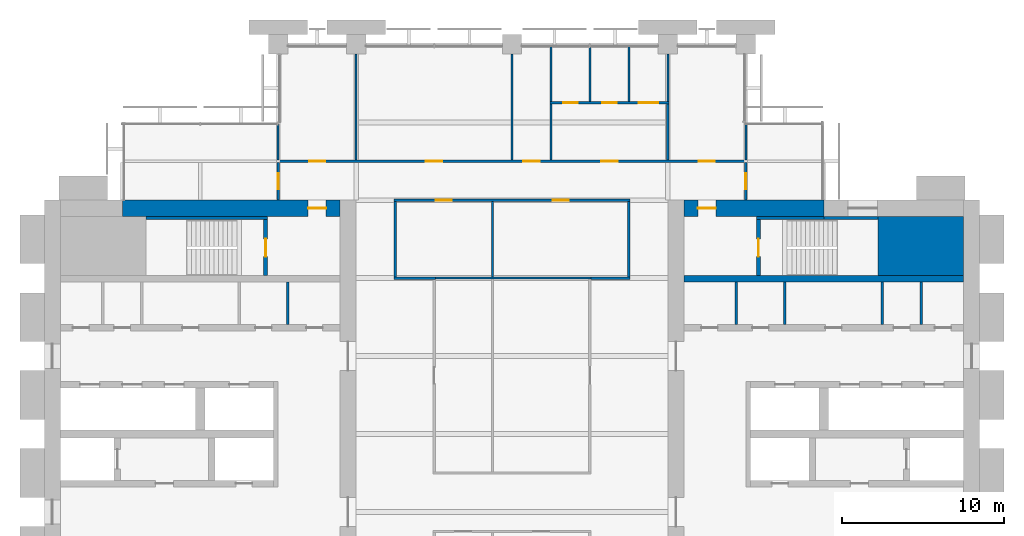
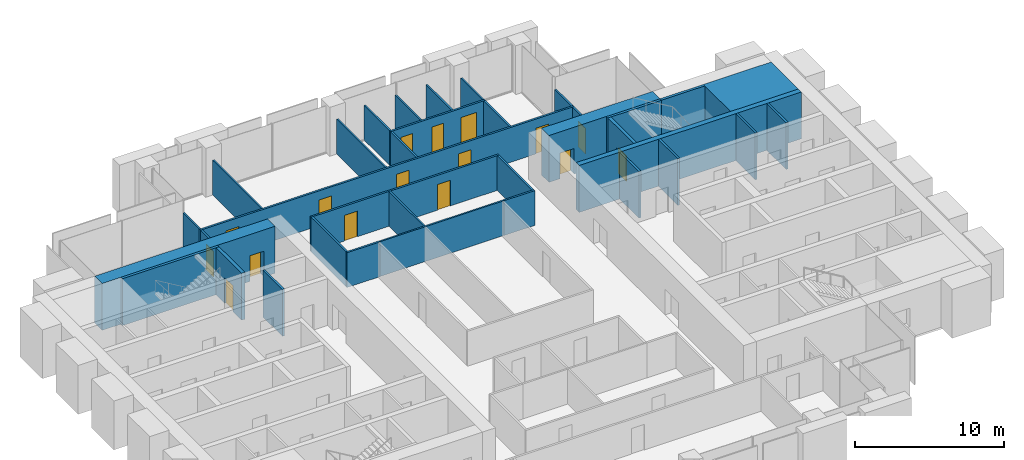
# One storey, part 12 of 14: 35 walls, 16 doors, 16 openings.
"""IFC4 building model written with IfcOpenShell, lengths in metres."""

from ifc_helpers import new_model, si_unit, direction, frame, frame_2d, origin, place, context, subcontext, project, spatial, rectangle, extrude, material, layer, layer_set, type_object, element, fill, save


model = new_model("IFC4")

# Units and contexts
model_context = context("Model", 3, precision=1e-05, world=origin(), true_north=direction((0.0, 1.0)))
body_context = subcontext(model_context, "Body", "Model", "MODEL_VIEW")
ifc_project = project(units=[si_unit("LENGTHUNIT", "METRE"), si_unit("AREAUNIT", "SQUARE_METRE"), si_unit("VOLUMEUNIT", "CUBIC_METRE"), si_unit("PLANEANGLEUNIT", "RADIAN"), si_unit("MASSUNIT", "GRAM", prefix="KILO")], contexts=[model_context])

# Site, building, storey
site_placement = place(None, origin())
site = spatial("IfcSite", under=ifc_project, at=site_placement, CompositionType="ELEMENT")
building_placement = place(site_placement, origin())
building = spatial("IfcBuilding", under=site, at=building_placement, Name="Baori Bourse Tower", CompositionType="ELEMENT")
storey_placement = place(building_placement, frame((0.0, 0.0, 148.10009765625)))
storey = spatial("IfcBuildingStorey", under=building, at=storey_placement, Name="L32", CompositionType="ELEMENT", Elevation=148.10009765625)

# Walls
ifc_material_1 = material(Name="Concrete f'c 60 MPa", Category="concrete")
wall_type_1 = type_object("IfcWallType", Name="Core corner block f'c 60", PredefinedType="SHEAR", material=ifc_material_1)
wall_1_placement = place(storey_placement, frame((51.35009765625, 35.574951171875, 0.0), z_axis=(0.0, 0.0, 1.0), x_axis=(1.0, 0.0, 0.0)))
element("IfcWall", 1, at=wall_1_placement, inside=storey, type_object=wall_type_1, Name="Core wall E28", PredefinedType="SHEAR", context=body_context, shape_type="SweptSolid", body=[
    extrude(rectangle(XDim=5.25, YDim=3.64990234375, at=frame_2d((2.625, 0.0))), origin(), (0.0, 0.0, 1.0), 3.83984375),
])
ifc_material_2 = material(Name="Blockwork partition", Category="masonry")
ifc_layer_1 = layer(ifc_material_2, 0.14990234375)
ifc_layer_set_1 = layer_set([ifc_layer_1], Name="Core partition 150")
wall_type_2 = type_object("IfcWallType", Name="Core partition 150", PredefinedType="PARTITIONING", material=ifc_layer_set_1)
for number, where, z_axis, x_axis, name in (
    (2, (15.0, 30.75, 0.0), (0.0, 0.0, 1.0), (0.0, 1.0, 0.0), "Partition wall W26"),
    (3, (54.0, 30.75, 0.0), (0.0, 0.0, 1.0), (0.0, 1.0, 0.0), "Partition wall E23"),
    (4, (51.60009765625, 30.75, 0.0), (0.0, 0.0, 1.0), (0.0, 1.0, 0.0), "Partition wall E24"),
    (5, (45.60009765625, 30.75, 0.0), (0.0, 0.0, 1.0), (0.0, 1.0, 0.0), "Partition wall E25"),
    (6, (42.60009765625, 30.75, 0.0), (0.0, 0.0, 1.0), (0.0, 1.0, 0.0), "Partition wall E26"),
):
    element("IfcWall", number, at=place(storey_placement, frame(where, z_axis=z_axis, x_axis=x_axis)), inside=storey, type_object=wall_type_2, Name=name, PredefinedType="PARTITIONING", context=body_context, shape_type="SweptSolid", body=[
        extrude(rectangle(XDim=2.60009765625, YDim=0.14990234375, at=frame_2d((1.300048828125, 0.0))), origin(), (0.0, 0.0, 1.0), 3.83984375),
    ])

# Wall, opening, door
ifc_material_3 = material(Name="Concrete f'c 60 MPa", Category="concrete")
ifc_layer_2 = layer(ifc_material_3, 1.0)
ifc_layer_set_2 = layer_set([ifc_layer_2], Name="Core wall 1000 f'c 60")
wall_type_3 = type_object("IfcWallType", Name="Core wall 1000 f'c 60", PredefinedType="SHEAR", material=ifc_layer_set_2)
wall_2_placement = place(storey_placement, frame((4.800048828125, 37.89990234375, 0.0), z_axis=(0.0, 0.0, 1.0), x_axis=(1.0, 0.0, 0.0)))
wall_2 = element("IfcWall", 7, at=wall_2_placement, inside=storey, type_object=wall_type_3, Name="Core wall W32", PredefinedType="SHEAR", context=body_context, shape_type="SweptSolid", body=[
    extrude(rectangle(XDim=13.39990234375, YDim=1.0, at=frame_2d((6.699951171875, 0.0))), origin(), (0.0, 0.0, 1.0), 3.83984375),
])
opening_1_placement = place(wall_2_placement, frame((11.449951171875, 0.0, 0.0)))
opening_1 = element("IfcOpeningElement", 8, at=opening_1_placement, cuts=wall_2, Name="Opening L32-D104", PredefinedType="OPENING", context=body_context, shape_type="SweptSolid", body=[
    extrude(rectangle(XDim=1.10009765625, YDim=2.10009765625, at=frame_2d((0.550048828125, 1.050048828125))), frame((0.0, 0.510009765625, 0.0), z_axis=(0.0, -1.0, 0.0), x_axis=(1.0, 0.0, 0.0)), (0.0, 0.0, 1.0), 1.02001953125),
])
ifc_material_4 = material(Name="Painted steel door", Category="steel")
door_type_1 = type_object("IfcDoorType", Name="Stair door 1100", OperationType="SINGLE_SWING_LEFT", PredefinedType="DOOR", material=ifc_material_4)
door_1_placement = place(opening_1_placement, origin())
door_1 = element("IfcDoor", 9, at=door_1_placement, inside=storey, type_object=door_type_1, Name="Stair vestibule door B W L32", OperationType="SINGLE_SWING_LEFT", OverallHeight=2.10009765625, OverallWidth=1.10009765625, PredefinedType="DOOR", context=body_context, shape_type="SweptSolid", body=[
    extrude(rectangle(XDim=1.10009765625, YDim=2.10009765625, at=frame_2d((0.550048828125, 1.050048828125))), frame((0.0, 0.02490234375, 0.0), z_axis=(0.0, -1.0, 0.0), x_axis=(1.0, 0.0, 0.0)), (0.0, 0.0, 1.0), 0.050048828125),
])
fill(opening_1, door_1)

wall_3_placement = place(storey_placement, frame((39.39990234375, 37.89990234375, 0.0), z_axis=(0.0, 0.0, 1.0), x_axis=(1.0, 0.0, 0.0)))
wall_3 = element("IfcWall", 10, at=wall_3_placement, inside=storey, type_object=wall_type_3, Name="Core wall E33", PredefinedType="SHEAR", context=body_context, shape_type="SweptSolid", body=[
    extrude(rectangle(XDim=8.60009765625, YDim=1.0, at=frame_2d((4.300048828125, 0.0))), origin(), (0.0, 0.0, 1.0), 3.83984375),
])
opening_2_placement = place(wall_3_placement, frame((0.85009765625, 0.0, 0.0)))
opening_2 = element("IfcOpeningElement", 11, at=opening_2_placement, cuts=wall_3, Name="Opening L32-D204", PredefinedType="OPENING", context=body_context, shape_type="SweptSolid", body=[
    extrude(rectangle(XDim=1.10009765625, YDim=2.10009765625, at=frame_2d((0.550048828125, 1.050048828125))), frame((0.0, 0.510009765625, 0.0), z_axis=(0.0, -1.0, 0.0), x_axis=(1.0, 0.0, 0.0)), (0.0, 0.0, 1.0), 1.02001953125),
])
door_2_placement = place(opening_2_placement, origin())
door_2 = element("IfcDoor", 12, at=door_2_placement, inside=storey, type_object=door_type_1, Name="Stair vestibule door B E L32", OperationType="SINGLE_SWING_LEFT", OverallHeight=2.10009765625, OverallWidth=1.10009765625, PredefinedType="DOOR", context=body_context, shape_type="SweptSolid", body=[
    extrude(rectangle(XDim=1.10009765625, YDim=2.10009765625, at=frame_2d((0.550048828125, 1.050048828125))), frame((0.0, 0.02490234375, 0.0), z_axis=(0.0, -1.0, 0.0), x_axis=(1.0, 0.0, 0.0)), (0.0, 0.0, 1.0), 0.050048828125),
])
fill(opening_2, door_2)

# Walls
ifc_material_5 = material(Name="Gypsum board partition")
ifc_layer_3 = layer(ifc_material_5, 0.14990234375)
ifc_layer_set_3 = layer_set([ifc_layer_3], Name="Corridor partition 150")
wall_type_4 = type_object("IfcWallType", Name="Corridor partition 150", PredefinedType="PARTITIONING", material=ifc_layer_set_3)
wall_4_placement = place(storey_placement, frame((21.52490234375, 33.60009765625, 0.0), z_axis=(0.0, 0.0, 1.0), x_axis=(1.0, 0.0, 0.0)))
element("IfcWall", 13, at=wall_4_placement, inside=storey, type_object=wall_type_4, Name="Partition", PredefinedType="PARTITIONING", context=body_context, shape_type="SweptSolid", body=[
    extrude(rectangle(XDim=2.550048828125, YDim=0.14990234375, at=frame_2d((1.27490234375, 0.0))), origin(), (0.0, 0.0, 1.0), 2.849365234375),
])
wall_5_placement = place(storey_placement, frame((33.675048828125, 33.60009765625, 0.0), z_axis=(0.0, 0.0, 1.0), x_axis=(1.0, 0.0, 0.0)))
element("IfcWall", 14, at=wall_5_placement, inside=storey, type_object=wall_type_4, Name="Partition", PredefinedType="PARTITIONING", context=body_context, shape_type="SweptSolid", body=[
    extrude(rectangle(XDim=2.39990234375, YDim=0.14990234375, at=frame_2d((1.199951171875, 0.0))), origin(), (0.0, 0.0, 1.0), 2.849365234375),
])

# Wall, openings, doors
wall_6_placement = place(storey_placement, frame((21.52490234375, 38.39990234375, 0.0), z_axis=(0.0, 0.0, 1.0), x_axis=(1.0, 0.0, 0.0)))
wall_6 = element("IfcWall", 15, at=wall_6_placement, inside=storey, type_object=wall_type_4, Name="Partition", PredefinedType="PARTITIONING", context=body_context, shape_type="SweptSolid", body=[
    extrude(rectangle(XDim=14.550048828125, YDim=0.14990234375, at=frame_2d((7.27490234375, 0.0))), origin(), (0.0, 0.0, 1.0), 2.849365234375),
])
opening_3_placement = place(wall_6_placement, frame((2.574951171875, 0.0, 0.0)))
opening_3 = element("IfcOpeningElement", 16, at=opening_3_placement, cuts=wall_6, Name="Opening L32-D08", PredefinedType="OPENING", context=body_context, shape_type="SweptSolid", body=[
    extrude(rectangle(XDim=1.0, YDim=2.10009765625, at=frame_2d((0.5, 1.050048828125))), frame((0.0, 0.0849609375, 0.0), z_axis=(0.0, -1.0, 0.0), x_axis=(1.0, 0.0, 0.0)), (0.0, 0.0, 1.0), 0.169921875),
])
opening_4_placement = place(wall_6_placement, frame((9.77490234375, 0.0, 0.0)))
opening_4 = element("IfcOpeningElement", 17, at=opening_4_placement, cuts=wall_6, Name="Opening L32-D09", PredefinedType="OPENING", context=body_context, shape_type="SweptSolid", body=[
    extrude(rectangle(XDim=1.0, YDim=2.10009765625, at=frame_2d((0.5, 1.050048828125))), frame((0.0, 0.0849609375, 0.0), z_axis=(0.0, -1.0, 0.0), x_axis=(1.0, 0.0, 0.0)), (0.0, 0.0, 1.0), 0.169921875),
])
ifc_material_6 = material(Name="Timber door leaf", Category="wood")
door_type_2 = type_object("IfcDoorType", Name="Door 1000 x 2100", OperationType="SINGLE_SWING_LEFT", PredefinedType="DOOR", material=ifc_material_6)
door_3_placement = place(opening_3_placement, origin())
door_3 = element("IfcDoor", 18, at=door_3_placement, inside=storey, type_object=door_type_2, Name="Door", OperationType="SINGLE_SWING_LEFT", OverallHeight=2.10009765625, OverallWidth=1.0, PredefinedType="DOOR", context=body_context, shape_type="SweptSolid", body=[
    extrude(rectangle(XDim=1.0, YDim=2.10009765625, at=frame_2d((0.5, 1.050048828125))), frame((0.0, 0.02490234375, 0.0), z_axis=(0.0, -1.0, 0.0), x_axis=(1.0, 0.0, 0.0)), (0.0, 0.0, 1.0), 0.050048828125),
])
fill(opening_3, door_3)
door_4_placement = place(opening_4_placement, origin())
door_4 = element("IfcDoor", 19, at=door_4_placement, inside=storey, type_object=door_type_2, Name="Door", OperationType="SINGLE_SWING_RIGHT", OverallHeight=2.10009765625, OverallWidth=1.0, PredefinedType="DOOR", context=body_context, shape_type="SweptSolid", body=[
    extrude(rectangle(XDim=1.0, YDim=2.10009765625, at=frame_2d((0.5, 1.050048828125))), frame((0.0, 0.02490234375, 0.0), z_axis=(0.0, -1.0, 0.0), x_axis=(1.0, 0.0, 0.0)), (0.0, 0.0, 1.0), 0.050048828125),
])
fill(opening_4, door_4)

wall_7_placement = place(storey_placement, frame((14.324951171875, 40.800048828125, 0.0), z_axis=(0.0, 0.0, 1.0), x_axis=(1.0, 0.0, 0.0)))
wall_7 = element("IfcWall", 20, at=wall_7_placement, inside=storey, type_object=wall_type_4, Name="Partition", PredefinedType="PARTITIONING", context=body_context, shape_type="SweptSolid", body=[
    extrude(rectangle(XDim=28.949951171875, YDim=0.14990234375, at=frame_2d((14.47509765625, 0.0))), origin(), (0.0, 0.0, 1.0), 2.849365234375),
])
opening_5_placement = place(wall_7_placement, frame((1.97509765625, 0.0, 0.0)))
opening_5 = element("IfcOpeningElement", 21, at=opening_5_placement, cuts=wall_7, Name="Opening L32-D10", PredefinedType="OPENING", context=body_context, shape_type="SweptSolid", body=[
    extrude(rectangle(XDim=1.0, YDim=2.10009765625, at=frame_2d((0.5, 1.050048828125))), frame((0.0, 0.0849609375, 0.0), z_axis=(0.0, -1.0, 0.0), x_axis=(1.0, 0.0, 0.0)), (0.0, 0.0, 1.0), 0.169921875),
])
opening_6_placement = place(wall_7_placement, frame((9.175048828125, 0.0, 0.0)))
opening_6 = element("IfcOpeningElement", 22, at=opening_6_placement, cuts=wall_7, Name="Opening L32-D11", PredefinedType="OPENING", context=body_context, shape_type="SweptSolid", body=[
    extrude(rectangle(XDim=1.0, YDim=2.10009765625, at=frame_2d((0.5, 1.050048828125))), frame((0.0, 0.0849609375, 0.0), z_axis=(0.0, -1.0, 0.0), x_axis=(1.0, 0.0, 0.0)), (0.0, 0.0, 1.0), 0.169921875),
])
opening_7_placement = place(wall_7_placement, frame((15.175048828125, 0.0, 0.0)))
opening_7 = element("IfcOpeningElement", 23, at=opening_7_placement, cuts=wall_7, Name="Opening L32-D12", PredefinedType="OPENING", context=body_context, shape_type="SweptSolid", body=[
    extrude(rectangle(XDim=1.0, YDim=2.10009765625, at=frame_2d((0.5, 1.050048828125))), frame((0.0, 0.0849609375, 0.0), z_axis=(0.0, -1.0, 0.0), x_axis=(1.0, 0.0, 0.0)), (0.0, 0.0, 1.0), 0.169921875),
])
opening_8_placement = place(wall_7_placement, frame((19.97509765625, 0.0, 0.0)))
opening_8 = element("IfcOpeningElement", 24, at=opening_8_placement, cuts=wall_7, Name="Opening L32-D13", PredefinedType="OPENING", context=body_context, shape_type="SweptSolid", body=[
    extrude(rectangle(XDim=1.0, YDim=2.10009765625, at=frame_2d((0.5, 1.050048828125))), frame((0.0, 0.0849609375, 0.0), z_axis=(0.0, -1.0, 0.0), x_axis=(1.0, 0.0, 0.0)), (0.0, 0.0, 1.0), 0.169921875),
])
opening_9_placement = place(wall_7_placement, frame((25.97509765625, 0.0, 0.0)))
opening_9 = element("IfcOpeningElement", 25, at=opening_9_placement, cuts=wall_7, Name="Opening L32-D14", PredefinedType="OPENING", context=body_context, shape_type="SweptSolid", body=[
    extrude(rectangle(XDim=1.0, YDim=2.10009765625, at=frame_2d((0.5, 1.050048828125))), frame((0.0, 0.0849609375, 0.0), z_axis=(0.0, -1.0, 0.0), x_axis=(1.0, 0.0, 0.0)), (0.0, 0.0, 1.0), 0.169921875),
])
door_5_placement = place(opening_5_placement, origin())
door_5 = element("IfcDoor", 26, at=door_5_placement, inside=storey, type_object=door_type_2, Name="Door", OperationType="SINGLE_SWING_RIGHT", OverallHeight=2.10009765625, OverallWidth=1.0, PredefinedType="DOOR", context=body_context, shape_type="SweptSolid", body=[
    extrude(rectangle(XDim=1.0, YDim=2.10009765625, at=frame_2d((0.5, 1.050048828125))), frame((0.0, 0.02490234375, 0.0), z_axis=(0.0, -1.0, 0.0), x_axis=(1.0, 0.0, 0.0)), (0.0, 0.0, 1.0), 0.050048828125),
])
fill(opening_5, door_5)
door_6_placement = place(opening_6_placement, origin())
door_6 = element("IfcDoor", 27, at=door_6_placement, inside=storey, type_object=door_type_2, Name="Door", OperationType="SINGLE_SWING_RIGHT", OverallHeight=2.10009765625, OverallWidth=1.0, PredefinedType="DOOR", context=body_context, shape_type="SweptSolid", body=[
    extrude(rectangle(XDim=1.0, YDim=2.10009765625, at=frame_2d((0.5, 1.050048828125))), frame((0.0, 0.02490234375, 0.0), z_axis=(0.0, -1.0, 0.0), x_axis=(1.0, 0.0, 0.0)), (0.0, 0.0, 1.0), 0.050048828125),
])
fill(opening_6, door_6)
door_7_placement = place(opening_7_placement, origin())
door_7 = element("IfcDoor", 28, at=door_7_placement, inside=storey, type_object=door_type_2, Name="Door", OperationType="SINGLE_SWING_LEFT", OverallHeight=2.10009765625, OverallWidth=1.0, PredefinedType="DOOR", context=body_context, shape_type="SweptSolid", body=[
    extrude(rectangle(XDim=1.0, YDim=2.10009765625, at=frame_2d((0.5, 1.050048828125))), frame((0.0, 0.02490234375, 0.0), z_axis=(0.0, -1.0, 0.0), x_axis=(1.0, 0.0, 0.0)), (0.0, 0.0, 1.0), 0.050048828125),
])
fill(opening_7, door_7)
door_8_placement = place(opening_8_placement, origin())
door_8 = element("IfcDoor", 29, at=door_8_placement, inside=storey, type_object=door_type_2, Name="Door", OperationType="SINGLE_SWING_RIGHT", OverallHeight=2.10009765625, OverallWidth=1.0, PredefinedType="DOOR", context=body_context, shape_type="SweptSolid", body=[
    extrude(rectangle(XDim=1.0, YDim=2.10009765625, at=frame_2d((0.5, 1.050048828125))), frame((0.0, 0.02490234375, 0.0), z_axis=(0.0, -1.0, 0.0), x_axis=(1.0, 0.0, 0.0)), (0.0, 0.0, 1.0), 0.050048828125),
])
fill(opening_8, door_8)
door_9_placement = place(opening_9_placement, origin())
door_9 = element("IfcDoor", 30, at=door_9_placement, inside=storey, type_object=door_type_2, Name="Door", OperationType="SINGLE_SWING_LEFT", OverallHeight=2.10009765625, OverallWidth=1.0, PredefinedType="DOOR", context=body_context, shape_type="SweptSolid", body=[
    extrude(rectangle(XDim=1.0, YDim=2.10009765625, at=frame_2d((0.5, 1.050048828125))), frame((0.0, 0.02490234375, 0.0), z_axis=(0.0, -1.0, 0.0), x_axis=(1.0, 0.0, 0.0)), (0.0, 0.0, 1.0), 0.050048828125),
])
fill(opening_9, door_9)

wall_8_placement = place(storey_placement, frame((31.125, 44.39990234375, 0.0), z_axis=(0.0, 0.0, 1.0), x_axis=(1.0, 0.0, 0.0)))
wall_8 = element("IfcWall", 31, at=wall_8_placement, inside=storey, type_object=wall_type_4, Name="Partition", PredefinedType="PARTITIONING", context=body_context, shape_type="SweptSolid", body=[
    extrude(rectangle(XDim=7.35009765625, YDim=0.14990234375, at=frame_2d((3.675048828125, 0.0))), origin(), (0.0, 0.0, 1.0), 2.849365234375),
])
opening_10_placement = place(wall_8_placement, frame((0.824951171875, 0.0, 0.0)))
opening_10 = element("IfcOpeningElement", 32, at=opening_10_placement, cuts=wall_8, Name="Opening L32-D15", PredefinedType="OPENING", context=body_context, shape_type="SweptSolid", body=[
    extrude(rectangle(XDim=0.89990234375, YDim=2.10009765625, at=frame_2d((0.449951171875, 1.050048828125))), frame((0.0, 0.0849609375, 0.0), z_axis=(0.0, -1.0, 0.0), x_axis=(1.0, 0.0, 0.0)), (0.0, 0.0, 1.0), 0.169921875),
])
opening_11_placement = place(wall_8_placement, frame((3.22509765625, 0.0, 0.0)))
opening_11 = element("IfcOpeningElement", 33, at=opening_11_placement, cuts=wall_8, Name="Opening L32-D16", PredefinedType="OPENING", context=body_context, shape_type="SweptSolid", body=[
    extrude(rectangle(XDim=0.89990234375, YDim=2.10009765625, at=frame_2d((0.449951171875, 1.050048828125))), frame((0.0, 0.0849609375, 0.0), z_axis=(0.0, -1.0, 0.0), x_axis=(1.0, 0.0, 0.0)), (0.0, 0.0, 1.0), 0.169921875),
])
opening_12_placement = place(wall_8_placement, frame((5.47509765625, 0.0, 0.0)))
opening_12 = element("IfcOpeningElement", 34, at=opening_12_placement, cuts=wall_8, Name="Opening L32-D17", PredefinedType="OPENING", context=body_context, shape_type="SweptSolid", body=[
    extrude(rectangle(XDim=1.199951171875, YDim=2.10009765625, at=frame_2d((0.60009765625, 1.050048828125))), frame((0.0, 0.0849609375, 0.0), z_axis=(0.0, -1.0, 0.0), x_axis=(1.0, 0.0, 0.0)), (0.0, 0.0, 1.0), 0.169921875),
])
ifc_material_7 = material(Name="Timber door leaf", Category="wood")
door_type_3 = type_object("IfcDoorType", Name="Door 1200 x 2100", OperationType="SINGLE_SWING_LEFT", PredefinedType="DOOR", material=ifc_material_7)
door_10_placement = place(opening_12_placement, origin())
door_10 = element("IfcDoor", 35, at=door_10_placement, inside=storey, type_object=door_type_3, Name="Door", OperationType="SINGLE_SWING_LEFT", OverallHeight=2.10009765625, OverallWidth=1.199951171875, PredefinedType="DOOR", context=body_context, shape_type="SweptSolid", body=[
    extrude(rectangle(XDim=1.199951171875, YDim=2.10009765625, at=frame_2d((0.60009765625, 1.050048828125))), frame((0.0, 0.02490234375, 0.0), z_axis=(0.0, -1.0, 0.0), x_axis=(1.0, 0.0, 0.0)), (0.0, 0.0, 1.0), 0.050048828125),
])
fill(opening_12, door_10)
ifc_material_8 = material(Name="Timber door leaf", Category="wood")
door_type_4 = type_object("IfcDoorType", Name="Door 900 x 2100", OperationType="SINGLE_SWING_LEFT", PredefinedType="DOOR", material=ifc_material_8)
door_11_placement = place(opening_10_placement, origin())
door_11 = element("IfcDoor", 36, at=door_11_placement, inside=storey, type_object=door_type_4, Name="Door", OperationType="SINGLE_SWING_RIGHT", OverallHeight=2.10009765625, OverallWidth=0.89990234375, PredefinedType="DOOR", context=body_context, shape_type="SweptSolid", body=[
    extrude(rectangle(XDim=0.89990234375, YDim=2.10009765625, at=frame_2d((0.449951171875, 1.050048828125))), frame((0.0, 0.02490234375, 0.0), z_axis=(0.0, -1.0, 0.0), x_axis=(1.0, 0.0, 0.0)), (0.0, 0.0, 1.0), 0.050048828125),
])
fill(opening_10, door_11)
door_12_placement = place(opening_11_placement, origin())
door_12 = element("IfcDoor", 37, at=door_12_placement, inside=storey, type_object=door_type_4, Name="Door", OperationType="SINGLE_SWING_RIGHT", OverallHeight=2.10009765625, OverallWidth=0.89990234375, PredefinedType="DOOR", context=body_context, shape_type="SweptSolid", body=[
    extrude(rectangle(XDim=0.89990234375, YDim=2.10009765625, at=frame_2d((0.449951171875, 1.050048828125))), frame((0.0, 0.02490234375, 0.0), z_axis=(0.0, -1.0, 0.0), x_axis=(1.0, 0.0, 0.0)), (0.0, 0.0, 1.0), 0.050048828125),
])
fill(opening_11, door_12)

# Wall, opening, door
wall_9_placement = place(storey_placement, frame((14.39990234375, 38.39990234375, 0.0), z_axis=(0.0, 0.0, 1.0), x_axis=(0.0, 1.0, 0.0)))
wall_9 = element("IfcWall", 38, at=wall_9_placement, inside=storey, type_object=wall_type_4, Name="Partition", PredefinedType="PARTITIONING", context=body_context, shape_type="SweptSolid", body=[
    extrude(rectangle(XDim=2.3251953125, YDim=0.14990234375, at=frame_2d((1.16259765625, 0.0))), origin(), (0.0, 0.0, 1.0), 2.849365234375),
])
opening_13_placement = place(wall_9_placement, frame((0.66259765625, 0.0, 0.0)))
opening_13 = element("IfcOpeningElement", 39, at=opening_13_placement, cuts=wall_9, Name="Opening L32-D18", PredefinedType="OPENING", context=body_context, shape_type="SweptSolid", body=[
    extrude(rectangle(XDim=1.0, YDim=2.10009765625, at=frame_2d((0.5, 1.050048828125))), frame((0.0, 0.0849609375, 0.0), z_axis=(0.0, -1.0, 0.0), x_axis=(1.0, 0.0, 0.0)), (0.0, 0.0, 1.0), 0.169921875),
])
door_13_placement = place(opening_13_placement, origin())
door_13 = element("IfcDoor", 40, at=door_13_placement, inside=storey, type_object=door_type_2, Name="Door", OperationType="SINGLE_SWING_RIGHT", OverallHeight=2.10009765625, OverallWidth=1.0, PredefinedType="DOOR", context=body_context, shape_type="SweptSolid", body=[
    extrude(rectangle(XDim=1.0, YDim=2.10009765625, at=frame_2d((0.5, 1.050048828125))), frame((0.0, 0.02490234375, 0.0), z_axis=(0.0, -1.0, 0.0), x_axis=(1.0, 0.0, 0.0)), (0.0, 0.0, 1.0), 0.050048828125),
])
fill(opening_13, door_13)

# Walls
wall_10_placement = place(storey_placement, frame((21.60009765625, 33.675048828125, 0.0), z_axis=(0.0, 0.0, 1.0), x_axis=(0.0, 1.0, 0.0)))
element("IfcWall", 41, at=wall_10_placement, inside=storey, type_object=wall_type_4, Name="Partition", PredefinedType="PARTITIONING", context=body_context, shape_type="SweptSolid", body=[
    extrude(rectangle(XDim=4.64990234375, YDim=0.14990234375, at=frame_2d((2.324951171875, 0.0))), origin(), (0.0, 0.0, 1.0), 2.849365234375),
])
wall_11_placement = place(storey_placement, frame((31.199951171875, 40.875, 0.0), z_axis=(0.0, 0.0, 1.0), x_axis=(0.0, 1.0, 0.0)))
element("IfcWall", 42, at=wall_11_placement, inside=storey, type_object=wall_type_4, Name="Partition", PredefinedType="PARTITIONING", context=body_context, shape_type="SweptSolid", body=[
    extrude(rectangle(XDim=3.449951171875, YDim=0.14990234375, at=frame_2d((1.72509765625, 0.0))), origin(), (0.0, 0.0, 1.0), 2.849365234375),
])
wall_12_placement = place(storey_placement, frame((36.0, 33.675048828125, 0.0), z_axis=(0.0, 0.0, 1.0), x_axis=(0.0, 1.0, 0.0)))
element("IfcWall", 43, at=wall_12_placement, inside=storey, type_object=wall_type_4, Name="Partition", PredefinedType="PARTITIONING", context=body_context, shape_type="SweptSolid", body=[
    extrude(rectangle(XDim=4.64990234375, YDim=0.14990234375, at=frame_2d((2.324951171875, 0.0))), origin(), (0.0, 0.0, 1.0), 2.849365234375),
])
wall_13_placement = place(storey_placement, frame((38.39990234375, 40.875, 0.0), z_axis=(0.0, 0.0, 1.0), x_axis=(0.0, 1.0, 0.0)))
element("IfcWall", 44, at=wall_13_placement, inside=storey, type_object=wall_type_4, Name="Partition", PredefinedType="PARTITIONING", context=body_context, shape_type="SweptSolid", body=[
    extrude(rectangle(XDim=3.449951171875, YDim=0.14990234375, at=frame_2d((1.72509765625, 0.0))), origin(), (0.0, 0.0, 1.0), 2.849365234375),
])

# Wall, opening, door
wall_14_placement = place(storey_placement, frame((43.199951171875, 38.39990234375, 0.0), z_axis=(0.0, 0.0, 1.0), x_axis=(0.0, 1.0, 0.0)))
wall_14 = element("IfcWall", 45, at=wall_14_placement, inside=storey, type_object=wall_type_4, Name="Partition", PredefinedType="PARTITIONING", context=body_context, shape_type="SweptSolid", body=[
    extrude(rectangle(XDim=2.3251953125, YDim=0.14990234375, at=frame_2d((1.16259765625, 0.0))), origin(), (0.0, 0.0, 1.0), 2.849365234375),
])
opening_14_placement = place(wall_14_placement, frame((0.66259765625, 0.0, 0.0)))
opening_14 = element("IfcOpeningElement", 46, at=opening_14_placement, cuts=wall_14, Name="Opening L32-D22", PredefinedType="OPENING", context=body_context, shape_type="SweptSolid", body=[
    extrude(rectangle(XDim=1.0, YDim=2.10009765625, at=frame_2d((0.5, 1.050048828125))), frame((0.0, 0.0849609375, 0.0), z_axis=(0.0, -1.0, 0.0), x_axis=(1.0, 0.0, 0.0)), (0.0, 0.0, 1.0), 0.169921875),
])
door_14_placement = place(opening_14_placement, origin())
door_14 = element("IfcDoor", 47, at=door_14_placement, inside=storey, type_object=door_type_2, Name="Door", OperationType="SINGLE_SWING_LEFT", OverallHeight=2.10009765625, OverallWidth=1.0, PredefinedType="DOOR", context=body_context, shape_type="SweptSolid", body=[
    extrude(rectangle(XDim=1.0, YDim=2.10009765625, at=frame_2d((0.5, 1.050048828125))), frame((0.0, 0.02490234375, 0.0), z_axis=(0.0, -1.0, 0.0), x_axis=(1.0, 0.0, 0.0)), (0.0, 0.0, 1.0), 0.050048828125),
])
fill(opening_14, door_14)

# Walls
ifc_material_9 = material(Name="Gypsum board partition")
ifc_layer_4 = layer(ifc_material_9, 0.125)
ifc_layer_set_4 = layer_set([ifc_layer_4], Name="Partition 125")
wall_type_5 = type_object("IfcWallType", Name="Partition 125", PredefinedType="PARTITIONING", material=ifc_layer_set_4)
wall_15_placement = place(storey_placement, frame((24.074951171875, 33.60009765625, 0.0), z_axis=(0.0, 0.0, 1.0), x_axis=(1.0, 0.0, 0.0)))
element("IfcWall", 48, at=wall_15_placement, inside=storey, type_object=wall_type_5, Name="Partition", PredefinedType="PARTITIONING", context=body_context, shape_type="SweptSolid", body=[
    extrude(rectangle(XDim=9.60009765625, YDim=0.125, at=frame_2d((4.800048828125, 0.0))), origin(), (0.0, 0.0, 1.0), 2.849365234375),
])
wall_16_placement = place(storey_placement, frame((14.39990234375, 40.875, 0.0), z_axis=(0.0, 0.0, 1.0), x_axis=(0.0, 1.0, 0.0)))
element("IfcWall", 49, at=wall_16_placement, inside=storey, type_object=wall_type_5, Name="Partition", PredefinedType="PARTITIONING", context=body_context, shape_type="SweptSolid", body=[
    extrude(rectangle(XDim=2.22509765625, YDim=0.125, at=frame_2d((1.112548828125, 0.0))), origin(), (0.0, 0.0, 1.0), 2.849365234375),
])
wall_17_placement = place(storey_placement, frame((19.199951171875, 40.875, 0.0), z_axis=(0.0, 0.0, 1.0), x_axis=(0.0, 1.0, 0.0)))
element("IfcWall", 50, at=wall_17_placement, inside=storey, type_object=wall_type_5, Name="Partition", PredefinedType="PARTITIONING", context=body_context, shape_type="SweptSolid", body=[
    extrude(rectangle(XDim=6.52490234375, YDim=0.125, at=frame_2d((3.262451171875, 0.0))), origin(), (0.0, 0.0, 1.0), 2.849365234375),
])
wall_18_placement = place(storey_placement, frame((27.60009765625, 33.66259765625, 0.0), z_axis=(0.0, 0.0, 1.0), x_axis=(0.0, 1.0, 0.0)))
element("IfcWall", 51, at=wall_18_placement, inside=storey, type_object=wall_type_5, Name="Partition", PredefinedType="PARTITIONING", context=body_context, shape_type="SweptSolid", body=[
    extrude(rectangle(XDim=4.662353515625, YDim=0.125, at=frame_2d((2.3310546875, 0.0))), origin(), (0.0, 0.0, 1.0), 2.849365234375),
])
wall_19_placement = place(storey_placement, frame((28.800048828125, 40.875, 0.0), z_axis=(0.0, 0.0, 1.0), x_axis=(0.0, 1.0, 0.0)))
element("IfcWall", 52, at=wall_19_placement, inside=storey, type_object=wall_type_5, Name="Partition", PredefinedType="PARTITIONING", context=body_context, shape_type="SweptSolid", body=[
    extrude(rectangle(XDim=6.52490234375, YDim=0.125, at=frame_2d((3.262451171875, 0.0))), origin(), (0.0, 0.0, 1.0), 2.849365234375),
])
for number, where, z_axis, x_axis, name in (
    (53, (31.199951171875, 44.47509765625, 0.0), (0.0, 0.0, 1.0), (0.0, 1.0, 0.0), "Partition"),
    (54, (33.60009765625, 44.47509765625, 0.0), (0.0, 0.0, 1.0), (0.0, 1.0, 0.0), "Partition"),
    (55, (36.0, 44.47509765625, 0.0), (0.0, 0.0, 1.0), (0.0, 1.0, 0.0), "Partition"),
):
    element("IfcWall", number, at=place(storey_placement, frame(where, z_axis=z_axis, x_axis=x_axis)), inside=storey, type_object=wall_type_5, Name=name, PredefinedType="PARTITIONING", context=body_context, shape_type="SweptSolid", body=[
        extrude(rectangle(XDim=3.4248046875, YDim=0.125, at=frame_2d((1.71240234375, 0.0))), origin(), (0.0, 0.0, 1.0), 2.849365234375),
    ])
wall_20_placement = place(storey_placement, frame((38.39990234375, 44.47509765625, 0.0), z_axis=(0.0, 0.0, 1.0), x_axis=(0.0, 1.0, 0.0)))
element("IfcWall", 56, at=wall_20_placement, inside=storey, type_object=wall_type_5, Name="Partition", PredefinedType="PARTITIONING", context=body_context, shape_type="SweptSolid", body=[
    extrude(rectangle(XDim=2.9248046875, YDim=0.125, at=frame_2d((1.46240234375, 0.0))), origin(), (0.0, 0.0, 1.0), 2.849365234375),
])
wall_21_placement = place(storey_placement, frame((43.199951171875, 40.875, 0.0), z_axis=(0.0, 0.0, 1.0), x_axis=(0.0, 1.0, 0.0)))
element("IfcWall", 57, at=wall_21_placement, inside=storey, type_object=wall_type_5, Name="Partition", PredefinedType="PARTITIONING", context=body_context, shape_type="SweptSolid", body=[
    extrude(rectangle(XDim=2.22509765625, YDim=0.125, at=frame_2d((1.112548828125, 0.0))), origin(), (0.0, 0.0, 1.0), 2.849365234375),
])
ifc_material_10 = material(Name="Concrete f'c 60 MPa", Category="concrete")
ifc_layer_5 = layer(ifc_material_10, 0.199951171875)
ifc_layer_set_5 = layer_set([ifc_layer_5], Name="Shaft wall 200 f'c 60")
wall_type_6 = type_object("IfcWallType", Name="Shaft wall 200 f'c 60", PredefinedType="SHEAR", material=ifc_layer_set_5)
wall_22_placement = place(storey_placement, frame((6.25, 37.300048828125, 0.0), z_axis=(0.0, 0.0, 1.0), x_axis=(1.0, 0.0, 0.0)))
element("IfcWall", 58, at=wall_22_placement, inside=storey, type_object=wall_type_6, Name="Core wall W30", PredefinedType="SHEAR", context=body_context, shape_type="SweptSolid", body=[
    extrude(rectangle(XDim=7.5, YDim=0.199951171875, at=frame_2d((3.75, 0.0))), origin(), (0.0, 0.0, 1.0), 3.83984375),
])
wall_23_placement = place(storey_placement, frame((48.0, 37.300048828125, 0.0), z_axis=(0.0, 0.0, 1.0), x_axis=(1.0, 0.0, 0.0)))
element("IfcWall", 59, at=wall_23_placement, inside=storey, type_object=wall_type_6, Name="Core wall E30", PredefinedType="SHEAR", context=body_context, shape_type="SweptSolid", body=[
    extrude(rectangle(XDim=3.35009765625, YDim=0.199951171875, at=frame_2d((1.675048828125, 0.0))), origin(), (0.0, 0.0, 1.0), 3.83984375),
])
wall_24_placement = place(storey_placement, frame((43.85009765625, 37.300048828125, 0.0), z_axis=(0.0, 0.0, 1.0), x_axis=(1.0, 0.0, 0.0)))
element("IfcWall", 60, at=wall_24_placement, inside=storey, type_object=wall_type_6, Name="Core wall E31", PredefinedType="SHEAR", context=body_context, shape_type="SweptSolid", body=[
    extrude(rectangle(XDim=4.14990234375, YDim=0.199951171875, at=frame_2d((2.074951171875, 0.0))), origin(), (0.0, 0.0, 1.0), 3.83984375),
])

# Wall, opening, door
ifc_material_11 = material(Name="Concrete f'c 60 MPa", Category="concrete")
ifc_layer_6 = layer(ifc_material_11, 0.25)
ifc_layer_set_6 = layer_set([ifc_layer_6], Name="Shaft wall 250 f'c 60")
wall_type_7 = type_object("IfcWallType", Name="Shaft wall 250 f'c 60", PredefinedType="SHEAR", material=ifc_layer_set_6)
wall_25_placement = place(storey_placement, frame((13.625, 33.75, 0.0), z_axis=(0.0, 0.0, 1.0), x_axis=(0.0, 1.0, 0.0)))
wall_25 = element("IfcWall", 61, at=wall_25_placement, inside=storey, type_object=wall_type_7, Name="Core wall W29", PredefinedType="SHEAR", context=body_context, shape_type="SweptSolid", body=[
    extrude(rectangle(XDim=3.449951171875, YDim=0.25, at=frame_2d((1.72509765625, 0.0))), origin(), (0.0, 0.0, 1.0), 3.83984375),
])
opening_15_placement = place(wall_25_placement, frame((1.175048828125, 0.0, 0.0)))
opening_15 = element("IfcOpeningElement", 62, at=opening_15_placement, cuts=wall_25, Name="Opening L32-D103", PredefinedType="OPENING", context=body_context, shape_type="SweptSolid", body=[
    extrude(rectangle(XDim=1.10009765625, YDim=2.10009765625, at=frame_2d((0.550048828125, 1.050048828125))), frame((0.0, 0.135009765625, 0.0), z_axis=(0.0, -1.0, 0.0), x_axis=(1.0, 0.0, 0.0)), (0.0, 0.0, 1.0), 0.27001953125),
])
door_15_placement = place(opening_15_placement, origin())
door_15 = element("IfcDoor", 63, at=door_15_placement, inside=storey, type_object=door_type_1, Name="Stair door B W L32", OperationType="SINGLE_SWING_LEFT", OverallHeight=2.10009765625, OverallWidth=1.10009765625, PredefinedType="DOOR", context=body_context, shape_type="SweptSolid", body=[
    extrude(rectangle(XDim=1.10009765625, YDim=2.10009765625, at=frame_2d((0.550048828125, 1.050048828125))), frame((0.0, 0.02490234375, 0.0), z_axis=(0.0, -1.0, 0.0), x_axis=(1.0, 0.0, 0.0)), (0.0, 0.0, 1.0), 0.050048828125),
])
fill(opening_15, door_15)

wall_26_placement = place(storey_placement, frame((43.97509765625, 33.75, 0.0), z_axis=(0.0, 0.0, 1.0), x_axis=(0.0, 1.0, 0.0)))
wall_26 = element("IfcWall", 64, at=wall_26_placement, inside=storey, type_object=wall_type_7, Name="Core wall E29", PredefinedType="SHEAR", context=body_context, shape_type="SweptSolid", body=[
    extrude(rectangle(XDim=3.449951171875, YDim=0.25, at=frame_2d((1.72509765625, 0.0))), origin(), (0.0, 0.0, 1.0), 3.83984375),
])
opening_16_placement = place(wall_26_placement, frame((1.175048828125, 0.0, 0.0)))
opening_16 = element("IfcOpeningElement", 65, at=opening_16_placement, cuts=wall_26, Name="Opening L32-D203", PredefinedType="OPENING", context=body_context, shape_type="SweptSolid", body=[
    extrude(rectangle(XDim=1.10009765625, YDim=2.10009765625, at=frame_2d((0.550048828125, 1.050048828125))), frame((0.0, 0.135009765625, 0.0), z_axis=(0.0, -1.0, 0.0), x_axis=(1.0, 0.0, 0.0)), (0.0, 0.0, 1.0), 0.27001953125),
])
door_16_placement = place(opening_16_placement, origin())
door_16 = element("IfcDoor", 66, at=door_16_placement, inside=storey, type_object=door_type_1, Name="Stair door B E L32", OperationType="SINGLE_SWING_LEFT", OverallHeight=2.10009765625, OverallWidth=1.10009765625, PredefinedType="DOOR", context=body_context, shape_type="SweptSolid", body=[
    extrude(rectangle(XDim=1.10009765625, YDim=2.10009765625, at=frame_2d((0.550048828125, 1.050048828125))), frame((0.0, 0.02490234375, 0.0), z_axis=(0.0, -1.0, 0.0), x_axis=(1.0, 0.0, 0.0)), (0.0, 0.0, 1.0), 0.050048828125),
])
fill(opening_16, door_16)

# Wall
ifc_material_12 = material(Name="Concrete f'c 60 MPa", Category="concrete")
ifc_layer_7 = layer(ifc_material_12, 0.39990234375)
ifc_layer_set_7 = layer_set([ifc_layer_7], Name="Shaft wall 400 f'c 60")
wall_type_8 = type_object("IfcWallType", Name="Shaft wall 400 f'c 60", PredefinedType="SHEAR", material=ifc_layer_set_7)
wall_27_placement = place(storey_placement, frame((39.39990234375, 33.550048828125, 0.0), z_axis=(0.0, 0.0, 1.0), x_axis=(1.0, 0.0, 0.0)))
element("IfcWall", 67, at=wall_27_placement, inside=storey, type_object=wall_type_8, Name="Core wall E27", PredefinedType="SHEAR", context=body_context, shape_type="SweptSolid", body=[
    extrude(rectangle(XDim=17.2001953125, YDim=0.39990234375, at=frame_2d((8.60009765625, 0.0))), origin(), (0.0, 0.0, 1.0), 3.83984375),
])

save(model, "model.ifc")
